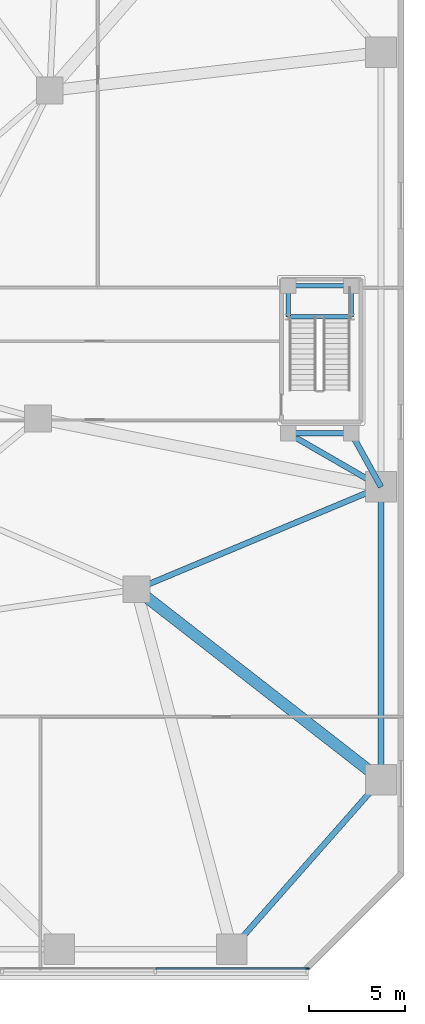
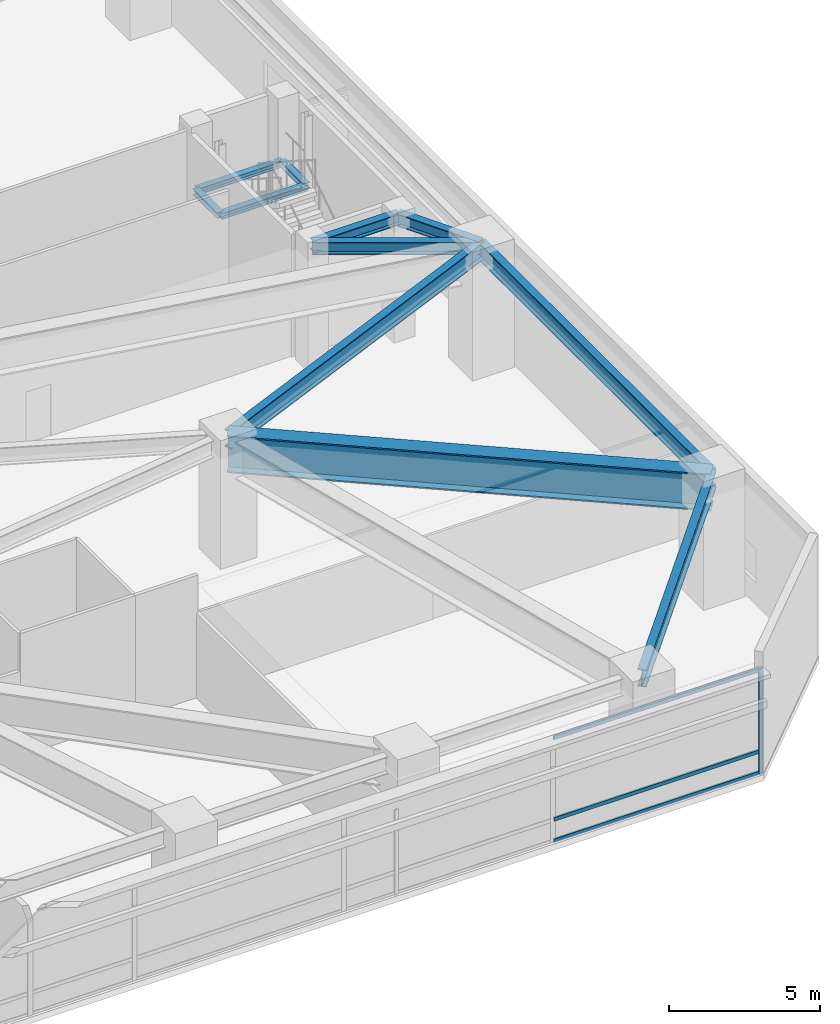
# One storey, part 12 of 28: 11 beams, 4 members, 1 element without a shape of its own.
"""IFC4 building model written with IfcOpenShell, lengths in metres."""

import ifcopenshell
import ifcopenshell.guid

model = None  # the IFC model being written
_history = None  # IfcOwnerHistory: only IFC2X3 demands one
_inside = {}  # id of a spatial element -> (the spatial element, [elements in it])
_under = {}  # id of a project, library or spatial element -> (it, [spatial elements below it])
_declared = {}  # id of a project -> (the project, [libraries it declares])
_typed = {}  # id of a type object -> (the type object, [elements of that type])
_made_of = {}  # id of a material, layer set ... -> (it, [elements and type objects made of it])


def new_model(schema):
    """Start an empty IFC model of exactly this schema.

    Asked for "IFC4X3", IfcOpenShell would pick the latest addendum, in which some entities
    have other attributes; the version numbers below select the first issue.
    IFC2X3 requires an IfcOwnerHistory on every rooted entity: one is made here for all.
    """
    global model, _history
    if schema == "IFC4X3":
        model = ifcopenshell.file(schema_version=(4, 3, 0, 0))
    else:
        model = ifcopenshell.file(schema=schema)
    _inside.clear()
    _under.clear()
    _declared.clear()
    _typed.clear()
    _made_of.clear()
    _history = None
    if model.schema == "IFC2X3":
        org = make("IfcOrganization", Name="unknown")
        user = make(
            "IfcPersonAndOrganization",
            ThePerson=make("IfcPerson", FamilyName="unknown"),
            TheOrganization=org,
        )
        app = make(
            "IfcApplication",
            ApplicationDeveloper=org,
            Version="unknown",
            ApplicationFullName="unknown",
            ApplicationIdentifier="unknown",
        )
        _history = make(
            "IfcOwnerHistory",
            OwningUser=user,
            OwningApplication=app,
            ChangeAction="ADDED",
            CreationDate=0,
        )
    return model


def make(cls, **values):
    """One entity of the class cls with the attributes given. An attribute that is None is left unset."""
    return model.create_entity(
        cls, **{name: value for name, value in values.items() if value is not None}
    )


def rooted(cls, **values):
    """An entity with a GlobalId (a new one), such as an element, a storey or a relation."""
    return make(cls, GlobalId=ifcopenshell.guid.new(), OwnerHistory=_history, **values)


def si_unit(unit_type, name, prefix=None):
    """IfcSIUnit, for example si_unit("LENGTHUNIT", "METRE", prefix="MILLI")."""
    return make("IfcSIUnit", UnitType=unit_type, Prefix=prefix, Name=name)


def assignment(units):
    """IfcUnitAssignment: the units of a project."""
    return None if units is None else make("IfcUnitAssignment", Units=units)


def point(xyz):
    """IfcCartesianPoint."""
    return None if xyz is None else make("IfcCartesianPoint", Coordinates=xyz)


def direction(xyz):
    """IfcDirection."""
    return None if xyz is None else make("IfcDirection", DirectionRatios=xyz)


def frame(location, z_axis=None, x_axis=None):
    """IfcAxis2Placement3D, a coordinate frame: its origin and axes. An axis left out is left unset."""
    return make(
        "IfcAxis2Placement3D",
        Location=point(location),
        Axis=direction(z_axis),
        RefDirection=direction(x_axis),
    )


def frame_2d(location, x_axis=None):
    """IfcAxis2Placement2D, a coordinate frame in the plane: its origin and x axis."""
    return make(
        "IfcAxis2Placement2D", Location=point(location), RefDirection=direction(x_axis)
    )


def origin():
    """The frame at (0, 0, 0) with its axes left unset."""
    return frame((0.0, 0.0, 0.0))


def origin_2d():
    """The frame at (0, 0) in the plane with its x axis left unset."""
    return frame_2d((0.0, 0.0))


def place(relative_to, where):
    """IfcLocalPlacement: puts the frame where relative to a parent placement (None: the world)."""
    return make(
        "IfcLocalPlacement", PlacementRelTo=relative_to, RelativePlacement=where
    )


def context(
    kind, dimensions, precision=None, world=None, true_north=None, identifier=None
):
    """IfcGeometricRepresentationContext, for example the 3D "Model" context."""
    return make(
        "IfcGeometricRepresentationContext",
        ContextIdentifier=identifier,
        ContextType=kind,
        CoordinateSpaceDimension=dimensions,
        Precision=precision,
        WorldCoordinateSystem=world,
        TrueNorth=true_north,
    )


def subcontext(parent, identifier, kind, view, scale=None):
    """IfcGeometricRepresentationSubContext, for example "Body" below "Model"."""
    return make(
        "IfcGeometricRepresentationSubContext",
        ContextIdentifier=identifier,
        ContextType=kind,
        ParentContext=parent,
        TargetScale=scale,
        TargetView=view,
    )


def project(units=None, contexts=None):
    """IfcProject with its units and contexts."""
    return rooted(
        "IfcProject",
        Name="project",
        RepresentationContexts=contexts,
        UnitsInContext=assignment(units),
    )


def spatial(cls, under=None, at=None, **own):
    """A site, building, storey or space (cls), placed at a placement, below another one or the project."""
    s = rooted(cls, ObjectPlacement=at, **own)
    if under is not None:
        _under.setdefault(under.id(), (under, []))[1].append(s)
    return s


def profile(cls, at=None, kind="AREA", **sizes):
    """A parametric profile (cls). Its sizes go by their IFC names, for example OverallWidth=200.0."""
    return make(cls, ProfileType=kind, Position=at, **sizes)


def rectangle(**sizes):
    """IfcRectangleProfileDef."""
    return profile("IfcRectangleProfileDef", **sizes)


def i_section(**sizes):
    """IfcIShapeProfileDef."""
    return profile("IfcIShapeProfileDef", **sizes)


def extrude(swept, where, along, depth):
    """IfcExtrudedAreaSolid: the profile swept, set in the frame where, extruded along a direction by depth."""
    return make(
        "IfcExtrudedAreaSolid",
        SweptArea=swept,
        Position=where,
        ExtrudedDirection=direction(along),
        Depth=depth,
    )


def shape(context_of_items, identifier, shape_type, items):
    """IfcShapeRepresentation: the items that make up one representation, for example the "Body"."""
    return make(
        "IfcShapeRepresentation",
        ContextOfItems=context_of_items,
        RepresentationIdentifier=identifier,
        RepresentationType=shape_type,
        Items=items,
    )


def material(Name=None, Category=None):
    """IfcMaterial."""
    return make("IfcMaterial", Name=Name, Category=Category)


def layer(
    of_material, thickness, ventilated=None, Name=None, Category=None, Priority=None
):
    """IfcMaterialLayer: one layer of a wall or slab, of a material (None: an air gap)."""
    return make(
        "IfcMaterialLayer",
        Material=of_material,
        LayerThickness=thickness,
        IsVentilated=ventilated,
        Name=Name,
        Category=Category,
        Priority=Priority,
    )


def layer_set(layers, Name=None):
    """IfcMaterialLayerSet."""
    return make("IfcMaterialLayerSet", MaterialLayers=layers, LayerSetName=Name)


def material_profile(
    of_material, cross_section, Name=None, Category=None, Priority=None
):
    """IfcMaterialProfile: a cross section and its material."""
    return make(
        "IfcMaterialProfile",
        Name=Name,
        Material=of_material,
        Profile=cross_section,
        Priority=Priority,
        Category=Category,
    )


def profile_set(profiles, Name=None, composite=None):
    """IfcMaterialProfileSet."""
    return make(
        "IfcMaterialProfileSet",
        Name=Name,
        MaterialProfiles=profiles,
        CompositeProfile=composite,
    )


def made_of(thing, what):
    """Note that an element or type object is made of a material, layer set ...; save() writes the relation."""
    if what is not None:
        _made_of.setdefault(what.id(), (what, []))[1].append(thing)
    return thing


def type_object(cls, material=None, **own):
    """A type object (cls), such as IfcWallType, which elements share."""
    return made_of(rooted(cls, **own), material)


def element(
    cls,
    number,
    at=None,
    inside=None,
    cuts=None,
    type_object=None,
    material=None,
    context=None,
    identifier="Body",
    shape_type=None,
    held_by="IfcProductDefinitionShape",
    body=None,
    shapes=None,
    **own,
):
    """One element of the class cls, such as IfcWall. Its Tag is "e" and its number.

    at: its placement. inside: the storey or other place that contains it. cuts: it is an
    opening in that element (IfcRelVoidsElement). A single representation is given by context,
    identifier, shape_type and body (its items); several are given by shapes. held_by: the class
    of the entity that holds the representations. save() writes the other relations.
    """
    e = rooted(cls, Tag="e%d" % number, ObjectPlacement=at, **own)
    if body is not None:
        shapes = [shape(context, identifier, shape_type, body)]
    if shapes is not None:
        e.Representation = make(held_by, Representations=shapes)
    if inside is not None:
        _inside.setdefault(inside.id(), (inside, []))[1].append(e)
    if cuts is not None:
        rooted(
            "IfcRelVoidsElement", RelatingBuildingElement=cuts, RelatedOpeningElement=e
        )
    if type_object is not None:
        _typed.setdefault(type_object.id(), (type_object, []))[1].append(e)
    return made_of(e, material)


def aggregate(whole, parts):
    """IfcRelAggregates: a whole, such as a stair, and the parts it consists of."""
    return rooted("IfcRelAggregates", RelatingObject=whole, RelatedObjects=parts)


def save(model, path):
    """Write the relations noted so far, then the file.

    IfcRelAggregates (storeys below a building ...), IfcRelContainedInSpatialStructure (elements
    in a storey), IfcRelDefinesByType, IfcRelAssociatesMaterial and IfcRelDeclares: one each for
    every whole, place, type object, material and project.
    """
    for whole, parts in _under.values():
        aggregate(whole, parts)
    for where, things in _inside.values():
        rooted(
            "IfcRelContainedInSpatialStructure",
            RelatedElements=things,
            RelatingStructure=where,
        )
    for kind, things in _typed.values():
        rooted("IfcRelDefinesByType", RelatedObjects=things, RelatingType=kind)
    for what, things in _made_of.values():
        rooted("IfcRelAssociatesMaterial", RelatedObjects=things, RelatingMaterial=what)
    for by, libraries in _declared.values():
        rooted("IfcRelDeclares", RelatingContext=by, RelatedDefinitions=libraries)
    model.write(path)


model = new_model("IFC4")

# Units and contexts
model_context = context("Model", 3, precision=1e-05, world=origin(), true_north=direction((0.0, 1.0)))
body_context = subcontext(model_context, "Body", "Model", "MODEL_VIEW")
ifc_project = project(units=[si_unit("LENGTHUNIT", "METRE"), si_unit("AREAUNIT", "SQUARE_METRE"), si_unit("VOLUMEUNIT", "CUBIC_METRE"), si_unit("PLANEANGLEUNIT", "RADIAN"), si_unit("MASSUNIT", "GRAM", prefix="KILO")], contexts=[model_context])

# Site, building, storey
site_placement = place(None, origin())
site = spatial("IfcSite", under=ifc_project, at=site_placement, CompositionType="ELEMENT")
building_placement = place(site_placement, origin())
building = spatial("IfcBuilding", under=site, at=building_placement, Name="Terralouvre Media Tower", CompositionType="ELEMENT")
storey_placement = place(building_placement, frame((0.0, 0.0, 10.39990234375)))
storey = spatial("IfcBuildingStorey", under=building, at=storey_placement, Name="L02", CompositionType="ELEMENT", Elevation=10.39990234375)

# Curtain wall, members
ifc_material_1 = material(Name="Low-iron laminated double glazing with solar-control coating", Category="glass")
ifc_layer = layer(ifc_material_1, 0.1650390625, Name="Podium Broadcast Gallery Glazing CW-01")
ifc_layer_set = layer_set([ifc_layer], Name="Low-iron laminated double glazing with solar-control coating")
curtain_wall_type = type_object("IfcCurtainWallType", Name="Podium Broadcast Gallery Glazing CW-01", PredefinedType="NOTDEFINED", material=ifc_layer_set)
curtain_wall_placement = place(storey_placement, origin())
curtain_wall = element("IfcCurtainWall", 1, at=curtain_wall_placement, inside=storey, type_object=curtain_wall_type, Name="L02 Podium Curtain Wall F0", PredefinedType="NOTDEFINED")
ifc_material_2 = material(Name="Anodised extruded aluminium 6063-T6", Category="aluminium")
ifc_material_profile_1 = material_profile(ifc_material_2, rectangle(XDim=0.074951171875, YDim=0.14990234375, at=origin_2d()), Name="ALU 75x150")
ifc_profile_set_1 = profile_set([ifc_material_profile_1], Name="Anodised extruded aluminium 6063-T6")
member_type_1 = type_object("IfcMemberType", Name="Curtain-Wall Horizontal Transom TR-150", PredefinedType="USERDEFINED", material=ifc_profile_set_1)
member_1_placement = place(storey_placement, frame((24.03759765625, -24.360107421875, 0.03759765625), z_axis=(1.0, 0.0, 0.0), x_axis=(0.0, 1.0, 0.0)))
member_1 = element("IfcMember", 2, at=member_1_placement, type_object=member_type_1, Name="CW-01 transom 8.1", ObjectType="TRANSOM", PredefinedType="USERDEFINED", context=body_context, shape_type="SweptSolid", body=[
    extrude(rectangle(XDim=0.074951171875, YDim=0.14990234375, at=origin_2d()), origin(), (0.0, 0.0, 1.0), 7.887451171875),
])
member_2_placement = place(storey_placement, frame((24.03759765625, -24.360107421875, 0.900146484375), z_axis=(1.0, 0.0, 0.0), x_axis=(0.0, 1.0, 0.0)))
member_2 = element("IfcMember", 3, at=member_2_placement, type_object=member_type_1, Name="CW-01 transom 8.2", ObjectType="TRANSOM", PredefinedType="USERDEFINED", context=body_context, shape_type="SweptSolid", body=[
    extrude(rectangle(XDim=0.074951171875, YDim=0.14990234375, at=origin_2d()), origin(), (0.0, 0.0, 1.0), 7.887451171875),
])
member_3_placement = place(storey_placement, frame((24.03759765625, -24.360107421875, 4.192626953125), z_axis=(1.0, 0.0, 0.0), x_axis=(0.0, 1.0, 0.0)))
member_3 = element("IfcMember", 4, at=member_3_placement, type_object=member_type_1, Name="CW-01 transom 8.3", ObjectType="TRANSOM", PredefinedType="USERDEFINED", context=body_context, shape_type="SweptSolid", body=[
    extrude(rectangle(XDim=0.074951171875, YDim=0.14990234375, at=origin_2d()), origin(), (0.0, 0.0, 1.0), 7.887451171875),
])
ifc_material_3 = material(Name="Anodised extruded aluminium 6063-T6", Category="aluminium")
ifc_material_profile_2 = material_profile(ifc_material_3, rectangle(XDim=0.074951171875, YDim=0.179931640625, at=origin_2d()), Name="ALU 75x180")
ifc_profile_set_2 = profile_set([ifc_material_profile_2], Name="Anodised extruded aluminium 6063-T6")
member_type_2 = type_object("IfcMemberType", Name="Curtain-Wall Vertical Mullion ML-180", PredefinedType="MULLION", material=ifc_profile_set_2)
member_4_placement = place(storey_placement, frame((31.96240234375, -24.360107421875, 0.0), z_axis=(0.0, 0.0, 1.0), x_axis=(0.0, 1.0, 0.0)))
member_4 = element("IfcMember", 5, at=member_4_placement, type_object=member_type_2, Name="CW-01 mullion 9", PredefinedType="MULLION", context=body_context, shape_type="SweptSolid", body=[
    extrude(rectangle(XDim=0.074951171875, YDim=0.179931640625, at=origin_2d()), origin(), (0.0, 0.0, 1.0), 4.22998046875),
])
aggregate(curtain_wall, [member_4, member_1, member_2, member_3])

# Beams
ifc_material_4 = material(Name="Structural steel S355J2", Category="steel")
ifc_material_profile_3 = material_profile(ifc_material_4, i_section(OverallWidth=0.239990234375, OverallDepth=0.239990234375, WebThickness=0.010009765625, FlangeThickness=0.01708984375, at=origin_2d()), Name="HEB 240")
ifc_profile_set_3 = profile_set([ifc_material_profile_3], Name="Structural steel S355J2")
beam_type_1 = type_object("IfcBeamType", Name="Opening Lintel Beam LN-240H (HEB 240)", PredefinedType="LINTEL", material=ifc_profile_set_3)
for number, where, z_axis, x_axis, name in (
    (6, (30.949951171875, 9.679931640625, 2.280029296875), (0.0, 1.0, 0.0), (-1.0, 0.0, 0.0), "L02 ST-04 Intermediate Landing Support Beam 1W"),
    (7, (34.25, 9.679931640625, 2.280029296875), (0.0, 1.0, 0.0), (-1.0, 0.0, 0.0), "L02 ST-04 Intermediate Landing Support Beam 1E"),
):
    element("IfcBeam", number, at=place(storey_placement, frame(where, z_axis=z_axis, x_axis=x_axis)), inside=storey, type_object=beam_type_1, Name=name, PredefinedType="LINTEL", context=body_context, shape_type="SweptSolid", body=[
        extrude(i_section(OverallWidth=0.239990234375, OverallDepth=0.239990234375, WebThickness=0.010009765625, FlangeThickness=0.01708984375, at=origin_2d()), origin(), (0.0, 0.0, 1.0), 1.6201171875),
    ])
for number, where, z_axis, x_axis, name in (
    (8, (30.949951171875, 9.679931640625, 2.280029296875), (1.0, 0.0, 0.0), (0.0, 1.0, 0.0), "L02 ST-04 Intermediate Landing Support Beam 1S"),
    (9, (30.949951171875, 11.300048828125, 2.280029296875), (1.0, 0.0, 0.0), (0.0, 1.0, 0.0), "L02 ST-04 Intermediate Landing Support Beam 1X"),
):
    element("IfcBeam", number, at=place(storey_placement, frame(where, z_axis=z_axis, x_axis=x_axis)), inside=storey, type_object=beam_type_1, Name=name, PredefinedType="LINTEL", context=body_context, shape_type="SweptSolid", body=[
        extrude(i_section(OverallWidth=0.239990234375, OverallDepth=0.239990234375, WebThickness=0.010009765625, FlangeThickness=0.01708984375, at=origin_2d()), origin(), (0.0, 0.0, 1.0), 3.300048828125),
    ])
ifc_material_5 = material(Name="Structural steel S355J2", Category="steel")
ifc_material_profile_4 = material_profile(ifc_material_5, i_section(OverallWidth=0.300048828125, OverallDepth=0.449951171875, WebThickness=0.013916015625, FlangeThickness=0.02587890625, at=origin_2d()), Name="HEB 450")
ifc_profile_set_4 = profile_set([ifc_material_profile_4], Name="Structural steel S355J2")
beam_type_2 = type_object("IfcBeamType", Name="Primary Floor Girder B-HEB450 (HEB 450)", PredefinedType="BEAM", material=ifc_profile_set_4)
beam_1_placement = place(storey_placement, frame((30.949951171875, 3.60009765625, 4.72509765625), z_axis=(1.0, 0.0, 0.0), x_axis=(0.0, 1.0, 0.0)))
element("IfcBeam", 10, at=beam_1_placement, inside=storey, type_object=beam_type_2, Name="L02 Framing Beam BM-L02-PVST41", PredefinedType="BEAM", context=body_context, shape_type="SweptSolid", body=[
    extrude(i_section(OverallWidth=0.300048828125, OverallDepth=0.449951171875, WebThickness=0.013916015625, FlangeThickness=0.02587890625, at=origin_2d()), origin(), (0.0, 0.0, 1.0), 3.300048828125),
])
ifc_material_6 = material(Name="Structural steel S355J2", Category="steel")
ifc_material_profile_5 = material_profile(ifc_material_6, i_section(OverallWidth=0.300048828125, OverallDepth=0.5, WebThickness=0.014404296875, FlangeThickness=0.028076171875, at=origin_2d()), Name="HEB 500")
ifc_profile_set_5 = profile_set([ifc_material_profile_5], Name="Structural steel S355J2")
beam_type_3 = type_object("IfcBeamType", Name="Primary Floor Girder B-HEB500 (HEB 500)", PredefinedType="BEAM", material=ifc_profile_set_5)
beam_2_placement = place(storey_placement, frame((30.949951171875, 3.60009765625, 4.7001953125), z_axis=(0.866037493094, -0.499979060117, 0.0), x_axis=(0.499979060117, 0.866037493094, 0.0)))
element("IfcBeam", 11, at=beam_2_placement, inside=storey, type_object=beam_type_3, Name="L02 Framing Beam BM-L02-PVTST41", PredefinedType="BEAM", context=body_context, shape_type="SweptSolid", body=[
    extrude(i_section(OverallWidth=0.300048828125, OverallDepth=0.5, WebThickness=0.014404296875, FlangeThickness=0.028076171875, at=origin_2d()), origin(), (0.0, 0.0, 1.0), 5.600341796875),
])
beam_3_placement = place(storey_placement, frame((34.25, 3.60009765625, 4.7001953125), z_axis=(0.484321096397, -0.874890322032, 0.0), x_axis=(0.874890322032, 0.484321096397, 0.0)))
element("IfcBeam", 12, at=beam_3_placement, inside=storey, type_object=beam_type_3, Name="L02 Framing Beam BM-L02-PVTST42", PredefinedType="BEAM", context=body_context, shape_type="SweptSolid", body=[
    extrude(i_section(OverallWidth=0.300048828125, OverallDepth=0.5, WebThickness=0.014404296875, FlangeThickness=0.028076171875, at=origin_2d()), origin(), (0.0, 0.0, 1.0), 3.200439453125),
])
ifc_material_7 = material(Name="Structural steel S460M", Category="steel")
ifc_material_profile_6 = material_profile(ifc_material_7, i_section(OverallWidth=0.300048828125, OverallDepth=0.699951171875, WebThickness=0.01708984375, FlangeThickness=0.031982421875, at=origin_2d()), Name="HEB 700")
ifc_profile_set_6 = profile_set([ifc_material_profile_6], Name="Structural steel S460M")
beam_type_4 = type_object("IfcBeamType", Name="Primary Floor Girder B-HEB700 (HEB 700)", PredefinedType="BEAM", material=ifc_profile_set_6)
beam_4_placement = place(storey_placement, frame((23.02490234375, -4.546630859375, 4.60009765625), z_axis=(0.922468147364, 0.386073201737, 0.0), x_axis=(-0.386073201737, 0.922468147364, 0.0)))
element("IfcBeam", 13, at=beam_4_placement, inside=storey, type_object=beam_type_4, Name="L02 Framing Beam BM-L02-PM21P1", PredefinedType="BEAM", context=body_context, shape_type="SweptSolid", body=[
    extrude(i_section(OverallWidth=0.300048828125, OverallDepth=0.699951171875, WebThickness=0.01708984375, FlangeThickness=0.031982421875, at=origin_2d()), origin(), (0.0, 0.0, 1.0), 13.848876953125),
])
beam_5_placement = place(storey_placement, frame((28.0, -23.35009765625, 4.60009765625), z_axis=(0.661199207896, 0.75021037548, 0.0), x_axis=(-0.75021037548, 0.661199207896, 0.0)))
element("IfcBeam", 14, at=beam_5_placement, inside=storey, type_object=beam_type_4, Name="L02 Framing Beam BM-L02-PR07", PredefinedType="BEAM", context=body_context, shape_type="SweptSolid", body=[
    extrude(i_section(OverallWidth=0.300048828125, OverallDepth=0.699951171875, WebThickness=0.01708984375, FlangeThickness=0.031982421875, at=origin_2d()), origin(), (0.0, 0.0, 1.0), 11.796875),
])
beam_6_placement = place(storey_placement, frame((35.800048828125, -14.5, 4.60009765625), z_axis=(0.0, 1.0, 0.0), x_axis=(-1.0, 0.0, 0.0)))
element("IfcBeam", 15, at=beam_6_placement, inside=storey, type_object=beam_type_4, Name="L02 Framing Beam BM-L02-PR08", PredefinedType="BEAM", context=body_context, shape_type="SweptSolid", body=[
    extrude(i_section(OverallWidth=0.300048828125, OverallDepth=0.699951171875, WebThickness=0.01708984375, FlangeThickness=0.031982421875, at=origin_2d()), origin(), (0.0, 0.0, 1.0), 15.300048828125),
])
ifc_material_8 = material(Name="Structural steel S460M", Category="steel")
ifc_material_profile_7 = material_profile(ifc_material_8, i_section(OverallWidth=0.60009765625, OverallDepth=1.5, WebThickness=0.033935546875, FlangeThickness=0.054931640625, at=origin_2d()), Name="PG 1500x600")
ifc_profile_set_7 = profile_set([ifc_material_profile_7], Name="Structural steel S460M")
beam_type_5 = type_object("IfcBeamType", Name="Primary Floor Girder B-PG1500 (PG 1500x600)", PredefinedType="BEAM", material=ifc_profile_set_7)
beam_7_placement = place(storey_placement, frame((23.02490234375, -4.546630859375, 4.2001953125), z_axis=(0.788838921833, -0.614599996259, 0.0), x_axis=(0.614599996259, 0.788838921833, 0.0)))
element("IfcBeam", 16, at=beam_7_placement, inside=storey, type_object=beam_type_5, Name="L02 Framing Beam BM-L02-RD08", PredefinedType="BEAM", context=body_context, shape_type="SweptSolid", body=[
    extrude(i_section(OverallWidth=0.60009765625, OverallDepth=1.5, WebThickness=0.033935546875, FlangeThickness=0.054931640625, at=origin_2d()), origin(), (0.0, 0.0, 1.0), 16.19482421875),
])

save(model, "model.ifc")
